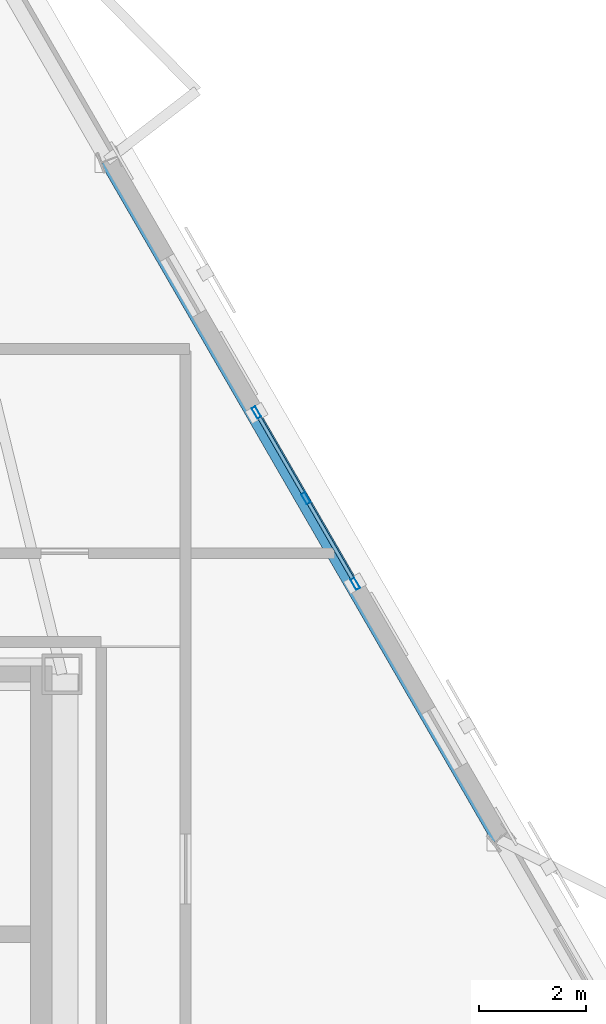
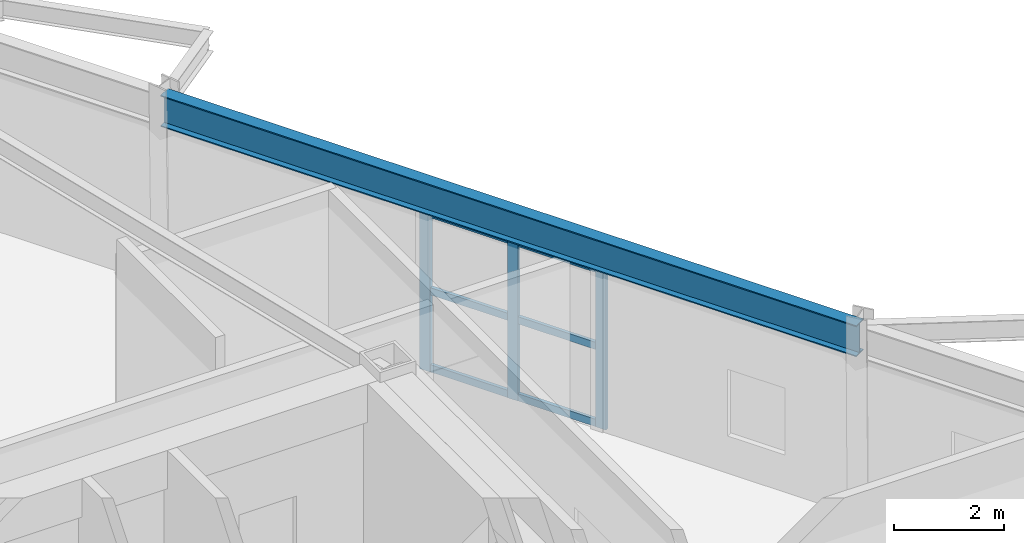
# One storey, part 6 of 14: 9 members, 1 beam, 1 element without a shape of its own.
"""IFC4 building model written with IfcOpenShell, lengths in metres."""

from ifc_helpers import new_model, si_unit, direction, frame, origin, origin_2d, place, context, subcontext, project, spatial, hollow_rectangle, i_section, extrude, material, layer, layer_set, material_profile, profile_set, type_object, element, aggregate, save


model = new_model("IFC4")

# Units and contexts
model_context = context("Model", 3, precision=1e-05, world=origin(), true_north=direction((0.0, 1.0)))
body_context = subcontext(model_context, "Body", "Model", "MODEL_VIEW")
ifc_project = project(units=[si_unit("LENGTHUNIT", "METRE"), si_unit("AREAUNIT", "SQUARE_METRE"), si_unit("VOLUMEUNIT", "CUBIC_METRE"), si_unit("PLANEANGLEUNIT", "RADIAN"), si_unit("MASSUNIT", "GRAM", prefix="KILO")], contexts=[model_context])

# Site, building, storey
site_placement = place(None, origin())
site = spatial("IfcSite", under=ifc_project, at=site_placement, CompositionType="ELEMENT")
building_placement = place(site_placement, origin())
building = spatial("IfcBuilding", under=site, at=building_placement, Name="Oramaril Tower", CompositionType="ELEMENT")
storey_placement = place(building_placement, frame((0.0, 0.0, 204.60009765625)))
storey = spatial("IfcBuildingStorey", under=building, at=storey_placement, Name="L54", CompositionType="ELEMENT", Elevation=204.60009765625)

# Beam
ifc_material_1 = material(Name="Steel ASTM A572 Gr 50", Category="steel")
ifc_material_profile_1 = material_profile(ifc_material_1, i_section(OverallWidth=0.257080078125, OverallDepth=0.693115234375, WebThickness=0.014404296875, FlangeThickness=0.023681640625, at=origin_2d()), Name="W27X114")
ifc_profile_set_1 = profile_set([ifc_material_profile_1], Name="Steel ASTM A572 Gr 50")
beam_type = type_object("IfcBeamType", Name="BT-SP4", PredefinedType="SPANDREL", material=ifc_profile_set_1)
beam_placement = place(storey_placement, frame((53.775634765625, 21.0751953125, 3.933349609375), z_axis=(-0.499996765972, 0.866027270944, 0.0), x_axis=(-0.866027270944, -0.499996765972, 0.0)))
element("IfcBeam", 1, at=beam_placement, inside=storey, type_object=beam_type, Name="L54 Perimeter Spandrel 10", PredefinedType="SPANDREL", context=body_context, shape_type="SweptSolid", body=[
    extrude(i_section(OverallWidth=0.257080078125, OverallDepth=0.693115234375, WebThickness=0.014404296875, FlangeThickness=0.023681640625, at=origin_2d()), origin(), (0.0, 0.0, 1.0), 14.58642578125),
])

# Curtain wall, members
ifc_material_2 = material(Name="Anodised Aluminium 6063-T6", Category="aluminium")
ifc_layer = layer(ifc_material_2, 0.219970703125)
ifc_layer_set = layer_set([ifc_layer], Name="CWT-SYS5")
curtain_wall_type = type_object("IfcCurtainWallType", Name="CWT-SYS5", PredefinedType="NOTDEFINED", material=ifc_layer_set)
curtain_wall_placement = place(storey_placement, origin())
curtain_wall = element("IfcCurtainWall", 2, at=curtain_wall_placement, inside=storey, type_object=curtain_wall_type, Name="L54 Unitised Curtain Wall CW-5", PredefinedType="NOTDEFINED")
ifc_material_3 = material(Name="Anodised Aluminium 6063-T6", Category="aluminium")
ifc_material_profile_2 = material_profile(ifc_material_3, hollow_rectangle(XDim=0.080078125, YDim=0.219970703125, WallThickness=0.00390625, at=origin_2d()), Name="CWM220X80")
ifc_profile_set_2 = profile_set([ifc_material_profile_2], Name="Anodised Aluminium 6063-T6")
member_type_1 = type_object("IfcMemberType", Name="MT-CWM1", PredefinedType="MULLION", material=ifc_profile_set_2)
member_1_placement = place(storey_placement, frame((51.10791015625, 25.83203125, 0.0), z_axis=(0.0, 0.0, 1.0), x_axis=(-0.866025463091, -0.499999897278, 0.0)))
member_1 = element("IfcMember", 3, at=member_1_placement, type_object=member_type_1, Name="CW-5 mullion 1", PredefinedType="MULLION", context=body_context, shape_type="SweptSolid", body=[
    extrude(hollow_rectangle(XDim=0.080078125, YDim=0.219970703125, WallThickness=0.00390625, at=origin_2d()), origin(), (0.0, 0.0, 1.0), 3.576904296875),
])
member_2_placement = place(storey_placement, frame((50.18798828125, 27.425537109375, 0.0), z_axis=(0.0, 0.0, 1.0), x_axis=(-0.866025463091, -0.499999897278, 0.0)))
member_2 = element("IfcMember", 4, at=member_2_placement, type_object=member_type_1, Name="CW-5 mullion 2", PredefinedType="MULLION", context=body_context, shape_type="SweptSolid", body=[
    extrude(hollow_rectangle(XDim=0.080078125, YDim=0.219970703125, WallThickness=0.00390625, at=origin_2d()), origin(), (0.0, 0.0, 1.0), 3.576904296875),
])
member_3_placement = place(storey_placement, frame((49.267822265625, 29.01904296875, 0.0), z_axis=(0.0, 0.0, 1.0), x_axis=(-0.866025463091, -0.499999897278, 0.0)))
member_3 = element("IfcMember", 5, at=member_3_placement, type_object=member_type_1, Name="CW-5 mullion 3", PredefinedType="MULLION", context=body_context, shape_type="SweptSolid", body=[
    extrude(hollow_rectangle(XDim=0.080078125, YDim=0.219970703125, WallThickness=0.00390625, at=origin_2d()), origin(), (0.0, 0.0, 1.0), 3.576904296875),
])
ifc_material_4 = material(Name="Anodised Aluminium 6063-T6", Category="aluminium")
ifc_material_profile_3 = material_profile(ifc_material_4, hollow_rectangle(XDim=0.070068359375, YDim=0.159912109375, WallThickness=0.00390625, at=origin_2d()), Name="CWT160X70")
ifc_profile_set_3 = profile_set([ifc_material_profile_3], Name="Anodised Aluminium 6063-T6")
member_type_2 = type_object("IfcMemberType", Name="MT-CWT1", PredefinedType="USERDEFINED", material=ifc_profile_set_3)
member_4_placement = place(storey_placement, frame((51.052978515625, 25.92724609375, 0.079833984375), z_axis=(-0.500061642096, 0.865989811779, 0.0), x_axis=(-0.865989811779, -0.500061642096, 0.0)))
member_4 = element("IfcMember", 6, at=member_4_placement, type_object=member_type_2, Name="CW-5 transom 1.1", ObjectType="TRANSOM", PredefinedType="USERDEFINED", context=body_context, shape_type="SweptSolid", body=[
    extrude(hollow_rectangle(XDim=0.070068359375, YDim=0.159912109375, WallThickness=0.00390625, at=origin_2d()), origin(), (0.0, 0.0, 1.0), 1.619873046875),
])
member_5_placement = place(storey_placement, frame((51.052978515625, 25.92724609375, 1.788330078125), z_axis=(-0.500061642096, 0.865989811779, 0.0), x_axis=(-0.865989811779, -0.500061642096, 0.0)))
member_5 = element("IfcMember", 7, at=member_5_placement, type_object=member_type_2, Name="CW-5 transom 1.2", ObjectType="TRANSOM", PredefinedType="USERDEFINED", context=body_context, shape_type="SweptSolid", body=[
    extrude(hollow_rectangle(XDim=0.070068359375, YDim=0.159912109375, WallThickness=0.00390625, at=origin_2d()), origin(), (0.0, 0.0, 1.0), 1.619873046875),
])
member_6_placement = place(storey_placement, frame((51.052978515625, 25.92724609375, 3.496826171875), z_axis=(-0.500061642096, 0.865989811779, 0.0), x_axis=(-0.865989811779, -0.500061642096, 0.0)))
member_6 = element("IfcMember", 8, at=member_6_placement, type_object=member_type_2, Name="CW-5 transom 1.3", ObjectType="TRANSOM", PredefinedType="USERDEFINED", context=body_context, shape_type="SweptSolid", body=[
    extrude(hollow_rectangle(XDim=0.070068359375, YDim=0.159912109375, WallThickness=0.00390625, at=origin_2d()), origin(), (0.0, 0.0, 1.0), 1.619873046875),
])
member_7_placement = place(storey_placement, frame((50.1328125, 27.520751953125, 0.079833984375), z_axis=(-0.499948604784, 0.866055074793, 0.0), x_axis=(-0.866055074793, -0.499948604784, 0.0)))
member_7 = element("IfcMember", 9, at=member_7_placement, type_object=member_type_2, Name="CW-5 transom 2.1", ObjectType="TRANSOM", PredefinedType="USERDEFINED", context=body_context, shape_type="SweptSolid", body=[
    extrude(hollow_rectangle(XDim=0.070068359375, YDim=0.159912109375, WallThickness=0.00390625, at=origin_2d()), origin(), (0.0, 0.0, 1.0), 1.619873046875),
])
member_8_placement = place(storey_placement, frame((50.1328125, 27.520751953125, 1.788330078125), z_axis=(-0.499948604784, 0.866055074793, 0.0), x_axis=(-0.866055074793, -0.499948604784, 0.0)))
member_8 = element("IfcMember", 10, at=member_8_placement, type_object=member_type_2, Name="CW-5 transom 2.2", ObjectType="TRANSOM", PredefinedType="USERDEFINED", context=body_context, shape_type="SweptSolid", body=[
    extrude(hollow_rectangle(XDim=0.070068359375, YDim=0.159912109375, WallThickness=0.00390625, at=origin_2d()), origin(), (0.0, 0.0, 1.0), 1.619873046875),
])
member_9_placement = place(storey_placement, frame((50.1328125, 27.520751953125, 3.496826171875), z_axis=(-0.499948604784, 0.866055074793, 0.0), x_axis=(-0.866055074793, -0.499948604784, 0.0)))
member_9 = element("IfcMember", 11, at=member_9_placement, type_object=member_type_2, Name="CW-5 transom 2.3", ObjectType="TRANSOM", PredefinedType="USERDEFINED", context=body_context, shape_type="SweptSolid", body=[
    extrude(hollow_rectangle(XDim=0.070068359375, YDim=0.159912109375, WallThickness=0.00390625, at=origin_2d()), origin(), (0.0, 0.0, 1.0), 1.619873046875),
])
aggregate(curtain_wall, [member_1, member_2, member_3, member_4, member_5, member_6, member_7, member_8, member_9])

save(model, "model.ifc")
